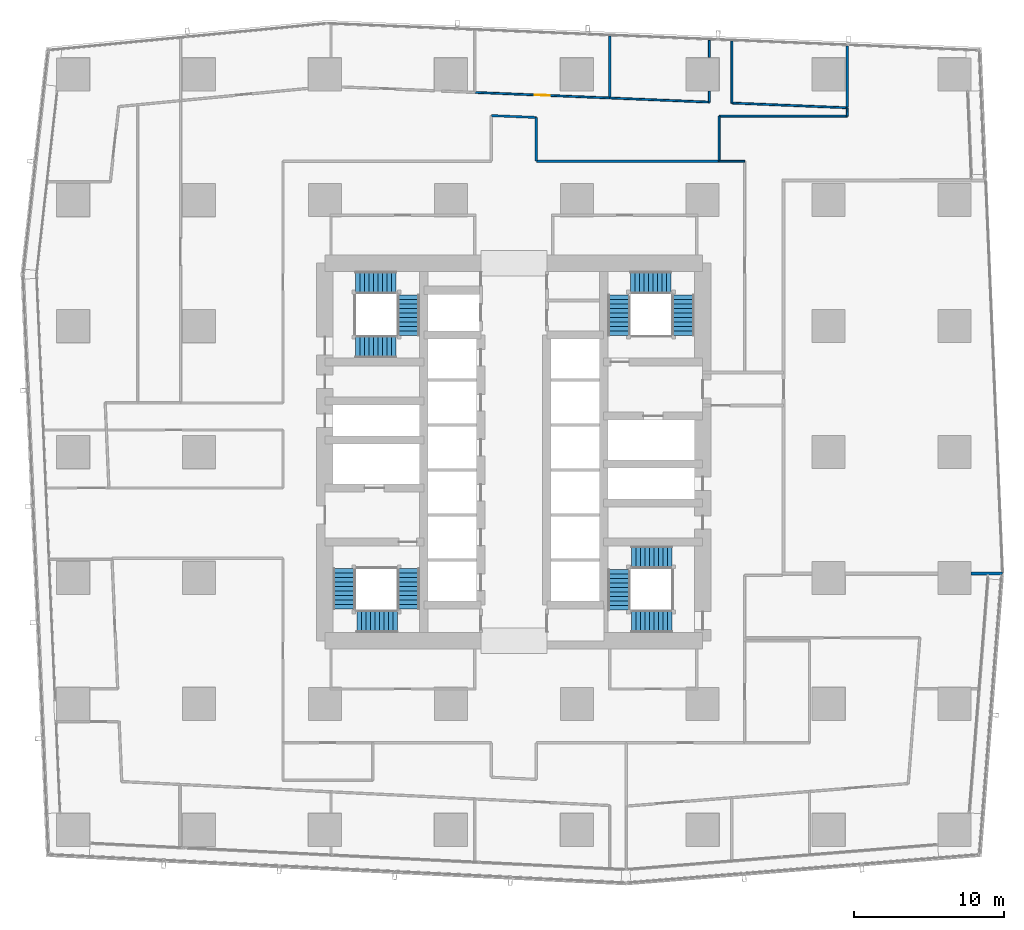
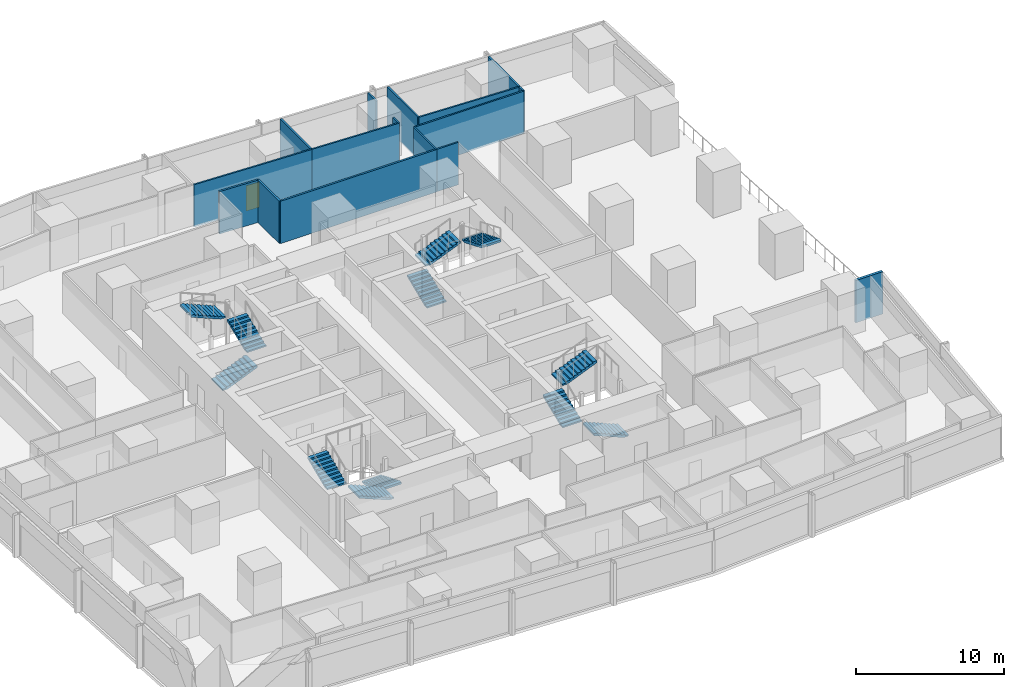
# One storey, part 33 of 42: 16 walls, 12 stair flights, 1 door, 1 opening, 4 elements without a shape of their own.
"""IFC4 building model written with IfcOpenShell, lengths in metres."""

from ifc_helpers import new_model, si_unit, direction, frame, frame_2d, origin, place, context, subcontext, project, spatial, polyline, rectangle, outline, extrude, material, layer, layer_set, type_object, element, fill, aggregate, save


model = new_model("IFC4")

# Units and contexts
model_context = context("Model", 3, precision=1e-05, world=origin(), true_north=direction((0.0, 1.0)))
body_context = subcontext(model_context, "Body", "Model", "MODEL_VIEW")
ifc_project = project(units=[si_unit("LENGTHUNIT", "METRE"), si_unit("AREAUNIT", "SQUARE_METRE"), si_unit("VOLUMEUNIT", "CUBIC_METRE"), si_unit("PLANEANGLEUNIT", "RADIAN"), si_unit("MASSUNIT", "GRAM", prefix="KILO")], contexts=[model_context])

# Site, building, storey
site_placement = place(None, origin())
site = spatial("IfcSite", under=ifc_project, at=site_placement, CompositionType="ELEMENT")
building_placement = place(site_placement, origin())
building = spatial("IfcBuilding", under=site, at=building_placement, Name="Rekha Terrace Tower", CompositionType="ELEMENT")
storey_placement = place(building_placement, frame((0.0, 0.0, 40.39990234375)))
storey = spatial("IfcBuildingStorey", under=building, at=storey_placement, Name="L09", CompositionType="ELEMENT", Elevation=40.39990234375)

# Walls
ifc_material_1 = material(Name="Concrete block masonry, 1 hour", Category="masonry")
ifc_layer_1 = layer(ifc_material_1, 0.14990234375)
ifc_layer_set_1 = layer_set([ifc_layer_1], Name="Concrete block masonry, 1 hour")
wall_type_1 = type_object("IfcWallType", Name="WP2 150 tenancy partition", PredefinedType="PARTITIONING", material=ifc_layer_set_1)
for number, where, z_axis, x_axis, name in (
    (1, (44.197998046875, 57.281005859375, 0.0), (0.0, 0.0, 1.0), (0.0, 1.0, 0.0), "Partition L09-O3"),
    (2, (60.0380859375, 56.6279296875, 0.0), (0.0, 0.0, 1.0), (0.0, 1.0, 0.0), "Partition L09-O3"),
):
    element("IfcWall", number, at=place(storey_placement, frame(where, z_axis=z_axis, x_axis=x_axis)), inside=storey, type_object=wall_type_1, Name=name, PredefinedType="PARTITIONING", context=body_context, shape_type="SweptSolid", body=[
        extrude(rectangle(XDim=4.06103515625, YDim=0.14990234375, at=frame_2d((2.030517578125, 0.0))), origin(), (0.0, 0.0, 1.0), 3.5),
    ])
wall_1_placement = place(storey_placement, frame((51.4990234375, 53.0, 0.0), z_axis=(0.0, 0.0, 1.0), x_axis=(-1.0, 0.0, 0.0)))
element("IfcWall", 3, at=wall_1_placement, inside=storey, type_object=wall_type_1, Name="Partition L09-O3", PredefinedType="PARTITIONING", context=body_context, shape_type="SweptSolid", body=[
    extrude(rectangle(XDim=12.198974609375, YDim=0.14990234375, at=frame_2d((6.099609375, 0.0))), origin(), (0.0, 0.0, 1.0), 3.5),
])
wall_2_placement = place(storey_placement, frame((39.300048828125, 53.0, 0.0), z_axis=(0.0, 0.0, 1.0), x_axis=(0.0, 1.0, 0.0)))
element("IfcWall", 4, at=wall_2_placement, inside=storey, type_object=wall_type_1, Name="Partition L09-O3", PredefinedType="PARTITIONING", context=body_context, shape_type="SweptSolid", body=[
    extrude(rectangle(XDim=2.9189453125, YDim=0.14990234375, at=frame_2d((1.45947265625, 0.0))), origin(), (0.0, 0.0, 1.0), 3.5),
])
wall_3_placement = place(storey_placement, frame((39.300048828125, 55.9189453125, 0.0), z_axis=(0.0, 0.0, 1.0), x_axis=(-0.999146548644, 0.041305863176, 0.0)))
element("IfcWall", 5, at=wall_3_placement, inside=storey, type_object=wall_type_1, Name="Partition L09-O3", PredefinedType="PARTITIONING", context=body_context, shape_type="SweptSolid", body=[
    extrude(rectangle(XDim=3.00244140625, YDim=0.14990234375, at=frame_2d((1.501220703125, 0.0))), origin(), (0.0, 0.0, 1.0), 3.5),
])
ifc_material_2 = material(Name="Two layers of fire-rated gypsum board each side on steel studs, acoustic quilt, 1 hour", Category="steel")
ifc_layer_2 = layer(ifc_material_2, 0.125)
ifc_layer_set_2 = layer_set([ifc_layer_2], Name="Two layers of fire-rated gypsum board each side on steel studs, acoustic quilt, 1 hour")
wall_type_2 = type_object("IfcWallType", Name="WP3 125 office partition", PredefinedType="PARTITIONING", material=ifc_layer_set_2)
wall_4_placement = place(storey_placement, frame((53.199951171875, 53.0, 0.0), z_axis=(0.0, 0.0, 1.0), x_axis=(-1.0, 0.0, 0.0)))
element("IfcWall", 6, at=wall_4_placement, inside=storey, type_object=wall_type_2, Name="Partition L09-06", PredefinedType="PARTITIONING", context=body_context, shape_type="SweptSolid", body=[
    extrude(rectangle(XDim=1.700927734375, YDim=0.125, at=frame_2d((0.8505859375, 0.0))), origin(), (0.0, 0.0, 1.0), 3.5),
])
wall_5_placement = place(storey_placement, frame((51.4990234375, 53.0, 0.0), z_axis=(0.0, 0.0, 1.0), x_axis=(0.0, 1.0, 0.0)))
element("IfcWall", 7, at=wall_5_placement, inside=storey, type_object=wall_type_2, Name="Partition L09-06", PredefinedType="PARTITIONING", context=body_context, shape_type="SweptSolid", body=[
    extrude(rectangle(XDim=3.010986328125, YDim=0.125, at=frame_2d((1.50537109375, 0.0))), origin(), (0.0, 0.0, 1.0), 3.5),
])
wall_6_placement = place(storey_placement, frame((51.4990234375, 56.010986328125, 0.0), z_axis=(0.0, 0.0, 1.0), x_axis=(1.0, 0.0, 0.0)))
element("IfcWall", 8, at=wall_6_placement, inside=storey, type_object=wall_type_2, Name="Partition L09-06", PredefinedType="PARTITIONING", context=body_context, shape_type="SweptSolid", body=[
    extrude(rectangle(XDim=8.554931640625, YDim=0.125, at=frame_2d((4.27734375, 0.0))), origin(), (0.0, 0.0, 1.0), 3.5),
])
wall_7_placement = place(storey_placement, frame((60.053955078125, 56.010986328125, 0.0), z_axis=(0.0, 0.0, 1.0), x_axis=(-0.02511327584, 0.999684611953, 0.0)))
element("IfcWall", 9, at=wall_7_placement, inside=storey, type_object=wall_type_2, Name="Partition L09-06", PredefinedType="PARTITIONING", context=body_context, shape_type="SweptSolid", body=[
    extrude(rectangle(XDim=0.55419921875, YDim=0.125, at=frame_2d((0.277099609375, 0.0))), origin(), (0.0, 0.0, 1.0), 3.5),
])
wall_8_placement = place(storey_placement, frame((60.0400390625, 56.56494140625, 0.0), z_axis=(0.0, 0.0, 1.0), x_axis=(-0.999150900395, 0.041200464085, 0.0)))
element("IfcWall", 10, at=wall_8_placement, inside=storey, type_object=wall_type_2, Name="Partition L09-06", PredefinedType="PARTITIONING", context=body_context, shape_type="SweptSolid", body=[
    extrude(rectangle(XDim=7.697509765625, YDim=0.125, at=frame_2d((3.8486328125, 0.0))), origin(), (0.0, 0.0, 1.0), 3.5),
])
wall_9_placement = place(storey_placement, frame((52.34912109375, 56.882080078125, 0.0), z_axis=(0.0, 0.0, 1.0), x_axis=(0.0, 1.0, 0.0)))
element("IfcWall", 11, at=wall_9_placement, inside=storey, type_object=wall_type_2, Name="Partition L09-06", PredefinedType="PARTITIONING", context=body_context, shape_type="SweptSolid", body=[
    extrude(rectangle(XDim=4.1240234375, YDim=0.125, at=frame_2d((2.06201171875, 0.0))), origin(), (0.0, 0.0, 1.0), 3.5),
])
wall_10_placement = place(storey_placement, frame((50.85009765625, 61.068115234375, 0.0), z_axis=(0.0, 0.0, 1.0), x_axis=(0.0, -1.0, 0.0)))
element("IfcWall", 12, at=wall_10_placement, inside=storey, type_object=wall_type_2, Name="Partition L09-07", PredefinedType="PARTITIONING", context=body_context, shape_type="SweptSolid", body=[
    extrude(rectangle(XDim=1.148193359375, YDim=0.125, at=frame_2d((0.57421875, 0.0))), origin(), (0.0, 0.0, 1.0), 3.5),
])
wall_11_placement = place(storey_placement, frame((50.85009765625, 57.679931640625, 0.0), z_axis=(0.0, 0.0, 1.0), x_axis=(0.0, -1.0, 0.0)))
element("IfcWall", 13, at=wall_11_placement, inside=storey, type_object=wall_type_2, Name="Partition L09-07", PredefinedType="PARTITIONING", context=body_context, shape_type="SweptSolid", body=[
    extrude(rectangle(XDim=0.73583984375, YDim=0.125, at=frame_2d((0.367919921875, 0.0))), origin(), (0.0, 0.0, 1.0), 3.5),
])
wall_12_placement = place(storey_placement, frame((50.85009765625, 56.944091796875, 0.0), z_axis=(0.0, 0.0, 1.0), x_axis=(-0.999152731267, 0.041156039667, 0.0)))
element("IfcWall", 14, at=wall_12_placement, inside=storey, type_object=wall_type_2, Name="Partition L09-07", PredefinedType="PARTITIONING", context=body_context, shape_type="SweptSolid", body=[
    extrude(rectangle(XDim=6.65576171875, YDim=0.125, at=frame_2d((3.327880859375, 0.0))), origin(), (0.0, 0.0, 1.0), 3.5),
])

# Wall, opening, door
wall_13_placement = place(storey_placement, frame((44.199951171875, 57.218017578125, 0.0), z_axis=(0.0, 0.0, 1.0), x_axis=(-0.999151017128, 0.041197633085, 0.0)))
wall_13 = element("IfcWall", 15, at=wall_13_placement, inside=storey, type_object=wall_type_2, Name="Partition L09-07", PredefinedType="PARTITIONING", context=body_context, shape_type="SweptSolid", body=[
    extrude(rectangle(XDim=9.007568359375, YDim=0.125, at=frame_2d((4.50390625, 0.0))), origin(), (0.0, 0.0, 1.0), 3.5),
])
opening_placement = place(wall_13_placement, frame((4.00390625, 0.0, 0.0)))
opening = element("IfcOpeningElement", 16, at=opening_placement, cuts=wall_13, Name="Opening D9", PredefinedType="OPENING", context=body_context, shape_type="SweptSolid", body=[
    extrude(rectangle(XDim=1.0, YDim=2.10009765625, at=frame_2d((0.5, 1.050048828125))), frame((0.0, 0.072509765625, 0.0), z_axis=(0.0, -1.0, 0.0), x_axis=(1.0, 0.0, 0.0)), (0.0, 0.0, 1.0), 0.14501953125),
])
ifc_material_3 = material(Name="Timber fire door", Category="wood")
door_type = type_object("IfcDoorType", Name="D9 1000x2100 office door", OperationType="SINGLE_SWING_LEFT", PredefinedType="DOOR", material=ifc_material_3)
door_placement = place(opening_placement, origin())
door = element("IfcDoor", 17, at=door_placement, inside=storey, type_object=door_type, Name="Door office L09", OperationType="SINGLE_SWING_LEFT", OverallHeight=2.10009765625, OverallWidth=1.0, PredefinedType="DOOR", context=body_context, shape_type="SweptSolid", body=[
    extrude(rectangle(XDim=1.0, YDim=2.10009765625, at=frame_2d((0.5, 1.050048828125))), frame((0.0, 0.02490234375, 0.0), z_axis=(0.0, -1.0, 0.0), x_axis=(1.0, 0.0, 0.0)), (0.0, 0.0, 1.0), 0.050048828125),
])
fill(opening, door)

# Wall
ifc_material_4 = material(Name="Solid concrete block masonry, 2 hour", Category="masonry")
ifc_layer_3 = layer(ifc_material_4, 0.199951171875)
ifc_layer_set_3 = layer_set([ifc_layer_3], Name="Solid concrete block masonry, 2 hour")
wall_type_3 = type_object("IfcWallType", Name="WS1 200 stair and shaft enclosure", PredefinedType="PARTITIONING", material=ifc_layer_set_3)
wall_14_placement = place(storey_placement, frame((68.300048828125, 25.5029296875, 0.0), z_axis=(0.0, 0.0, 1.0), x_axis=(1.0, 0.0, 0.0)))
element("IfcWall", 18, at=wall_14_placement, inside=storey, type_object=wall_type_3, Name="Refuge area south wall L09", PredefinedType="PARTITIONING", context=body_context, shape_type="SweptSolid", body=[
    extrude(rectangle(XDim=2.099853515625, YDim=0.199951171875, at=frame_2d((1.0498046875, 0.0))), origin(), (0.0, 0.0, 1.0), 3.5),
])

# Stair, stair flights
ifc_material_5 = material(Name="Concrete M40", Category="concrete")
stair_type = type_object("IfcStairType", Name="ST30 stair, 30 risers of 125, going 300, 1500 wide flights, 3 flights", PredefinedType="HALF_TURN_STAIR", material=ifc_material_5)
stair_1_placement = place(storey_placement, origin())
stair_1 = element("IfcStair", 19, at=stair_1_placement, inside=storey, type_object=stair_type, Name="Stair ST1 L09 to L10", PredefinedType="HALF_TURN_STAIR")
stair_flight_type = type_object("IfcStairFlightType", Name="SF10 stair flight, 10 risers of 125, going 300, 1500 wide", PredefinedType="STRAIGHT", material=ifc_material_5)
stair_flight_1_placement = place(storey_placement, frame((30.77490234375, 25.824951171875, 0.0), z_axis=(0.0, 0.0, 1.0), x_axis=(0.0, -1.0, 0.0)))
stair_flight_1 = element("IfcStairFlight", 20, at=stair_flight_1_placement, type_object=stair_flight_type, Name="ST1 flight 1", NumberOfRisers=10, NumberOfTreads=9, PredefinedType="STRAIGHT", RiserHeight=0.125, TreadLength=0.3, context=body_context, shape_type="SweptSolid", body=[
    extrude(outline(polyline([(0.0, 0.0), (0.0, 0.125), (0.300048828125, 0.125), (0.300048828125, 0.25), (0.60009765625, 0.25), (0.60009765625, 0.375), (0.89990234375, 0.375), (0.89990234375, 0.5), (1.199951171875, 0.5), (1.199951171875, 0.625), (1.5, 0.625), (1.5, 0.75), (1.800048828125, 0.75), (1.800048828125, 0.875), (2.10009765625, 0.875), (2.10009765625, 1.0), (2.39990234375, 1.0), (2.39990234375, 1.125), (2.699951171875, 1.125), (2.699951171875, 1.25), (2.699951171875, 0.962646484375), (0.3896484375, 0.0), (0.0, 0.0)])), frame((0.0, 0.75, 0.0), z_axis=(0.0, -1.0, 0.0), x_axis=(1.0, 0.0, 0.0)), (0.0, 0.0, 1.0), 1.5),
])
stair_flight_2_placement = place(storey_placement, frame((30.02490234375, 22.300048828125, 1.25), z_axis=(0.0, 0.0, 1.0), x_axis=(-1.0, 0.0, 0.0)))
stair_flight_2 = element("IfcStairFlight", 21, at=stair_flight_2_placement, type_object=stair_flight_type, Name="ST1 flight 2", NumberOfRisers=10, NumberOfTreads=9, PredefinedType="STRAIGHT", RiserHeight=0.125, TreadLength=0.3, context=body_context, shape_type="SweptSolid", body=[
    extrude(outline(polyline([(0.0, 0.0), (0.0, 0.125), (0.300048828125, 0.125), (0.300048828125, 0.25), (0.60009765625, 0.25), (0.60009765625, 0.375), (0.89990234375, 0.375), (0.89990234375, 0.5), (1.199951171875, 0.5), (1.199951171875, 0.625), (1.5, 0.625), (1.5, 0.75), (1.800048828125, 0.75), (1.800048828125, 0.875), (2.10009765625, 0.875), (2.10009765625, 1.0), (2.39990234375, 1.0), (2.39990234375, 1.125), (2.699951171875, 1.125), (2.699951171875, 1.25), (2.699951171875, 0.962646484375), (0.3896484375, 0.0), (0.0, 0.0)])), frame((0.0, 0.75, 0.0), z_axis=(0.0, -1.0, 0.0), x_axis=(1.0, 0.0, 0.0)), (0.0, 0.0, 1.0), 1.5),
])
stair_flight_3_placement = place(storey_placement, frame((26.5, 23.125, 2.5), z_axis=(0.0, 0.0, 1.0), x_axis=(0.0, 1.0, 0.0)))
stair_flight_3 = element("IfcStairFlight", 22, at=stair_flight_3_placement, type_object=stair_flight_type, Name="ST1 flight 3", NumberOfRisers=10, NumberOfTreads=9, PredefinedType="STRAIGHT", RiserHeight=0.125, TreadLength=0.3, context=body_context, shape_type="SweptSolid", body=[
    extrude(outline(polyline([(0.0, 0.0), (0.0, 0.125), (0.300048828125, 0.125), (0.300048828125, 0.25), (0.60009765625, 0.25), (0.60009765625, 0.375), (0.89990234375, 0.375), (0.89990234375, 0.5), (1.199951171875, 0.5), (1.199951171875, 0.625), (1.5, 0.625), (1.5, 0.75), (1.800048828125, 0.75), (1.800048828125, 0.875), (2.10009765625, 0.875), (2.10009765625, 1.0), (2.39990234375, 1.0), (2.39990234375, 1.125), (2.699951171875, 1.125), (2.699951171875, 1.25), (2.699951171875, 0.962646484375), (0.3896484375, 0.0), (0.0, 0.0)])), frame((0.0, 0.75, 0.0), z_axis=(0.0, -1.0, 0.0), x_axis=(1.0, 0.0, 0.0)), (0.0, 0.0, 1.0), 1.5),
])
aggregate(stair_1, [stair_flight_1, stair_flight_2, stair_flight_3])

stair_2_placement = place(storey_placement, origin())
stair_2 = element("IfcStair", 23, at=stair_2_placement, inside=storey, type_object=stair_type, Name="Stair ST2 L09 to L10", PredefinedType="HALF_TURN_STAIR")
stair_flight_4_placement = place(storey_placement, frame((44.824951171875, 41.375, 0.0), z_axis=(0.0, 0.0, 1.0), x_axis=(0.0, 1.0, 0.0)))
stair_flight_4 = element("IfcStairFlight", 24, at=stair_flight_4_placement, type_object=stair_flight_type, Name="ST2 flight 1", NumberOfRisers=10, NumberOfTreads=9, PredefinedType="STRAIGHT", RiserHeight=0.125, TreadLength=0.3, context=body_context, shape_type="SweptSolid", body=[
    extrude(outline(polyline([(0.0, 0.0), (0.0, 0.125), (0.300048828125, 0.125), (0.300048828125, 0.25), (0.60009765625, 0.25), (0.60009765625, 0.375), (0.89990234375, 0.375), (0.89990234375, 0.5), (1.199951171875, 0.5), (1.199951171875, 0.625), (1.5, 0.625), (1.5, 0.75), (1.800048828125, 0.75), (1.800048828125, 0.875), (2.10009765625, 0.875), (2.10009765625, 1.0), (2.39990234375, 1.0), (2.39990234375, 1.125), (2.699951171875, 1.125), (2.699951171875, 1.25), (2.699951171875, 0.962646484375), (0.3896484375, 0.0), (0.0, 0.0)])), frame((0.0, 0.75, 0.0), z_axis=(0.0, -1.0, 0.0), x_axis=(1.0, 0.0, 0.0)), (0.0, 0.0, 1.0), 1.5),
])
stair_flight_5_placement = place(storey_placement, frame((45.574951171875, 44.89990234375, 1.25), z_axis=(0.0, 0.0, 1.0), x_axis=(1.0, 0.0, 0.0)))
stair_flight_5 = element("IfcStairFlight", 25, at=stair_flight_5_placement, type_object=stair_flight_type, Name="ST2 flight 2", NumberOfRisers=10, NumberOfTreads=9, PredefinedType="STRAIGHT", RiserHeight=0.125, TreadLength=0.3, context=body_context, shape_type="SweptSolid", body=[
    extrude(outline(polyline([(0.0, 0.0), (0.0, 0.125), (0.300048828125, 0.125), (0.300048828125, 0.25), (0.60009765625, 0.25), (0.60009765625, 0.375), (0.89990234375, 0.375), (0.89990234375, 0.5), (1.199951171875, 0.5), (1.199951171875, 0.625), (1.5, 0.625), (1.5, 0.75), (1.800048828125, 0.75), (1.800048828125, 0.875), (2.10009765625, 0.875), (2.10009765625, 1.0), (2.39990234375, 1.0), (2.39990234375, 1.125), (2.699951171875, 1.125), (2.699951171875, 1.25), (2.699951171875, 0.962646484375), (0.3896484375, 0.0), (0.0, 0.0)])), frame((0.0, 0.75, 0.0), z_axis=(0.0, -1.0, 0.0), x_axis=(1.0, 0.0, 0.0)), (0.0, 0.0, 1.0), 1.5),
])
stair_flight_6_placement = place(storey_placement, frame((49.10009765625, 44.074951171875, 2.5), z_axis=(0.0, 0.0, 1.0), x_axis=(0.0, -1.0, 0.0)))
stair_flight_6 = element("IfcStairFlight", 26, at=stair_flight_6_placement, type_object=stair_flight_type, Name="ST2 flight 3", NumberOfRisers=10, NumberOfTreads=9, PredefinedType="STRAIGHT", RiserHeight=0.125, TreadLength=0.3, context=body_context, shape_type="SweptSolid", body=[
    extrude(outline(polyline([(0.0, 0.0), (0.0, 0.125), (0.300048828125, 0.125), (0.300048828125, 0.25), (0.60009765625, 0.25), (0.60009765625, 0.375), (0.89990234375, 0.375), (0.89990234375, 0.5), (1.199951171875, 0.5), (1.199951171875, 0.625), (1.5, 0.625), (1.5, 0.75), (1.800048828125, 0.75), (1.800048828125, 0.875), (2.10009765625, 0.875), (2.10009765625, 1.0), (2.39990234375, 1.0), (2.39990234375, 1.125), (2.699951171875, 1.125), (2.699951171875, 1.25), (2.699951171875, 0.962646484375), (0.3896484375, 0.0), (0.0, 0.0)])), frame((0.0, 0.75, 0.0), z_axis=(0.0, -1.0, 0.0), x_axis=(1.0, 0.0, 0.0)), (0.0, 0.0, 1.0), 1.5),
])
aggregate(stair_2, [stair_flight_4, stair_flight_5, stair_flight_6])

stair_3_placement = place(storey_placement, origin())
stair_3 = element("IfcStair", 27, at=stair_3_placement, inside=storey, type_object=stair_type, Name="Stair ST3 L09 to L10", PredefinedType="HALF_TURN_STAIR")
stair_flight_7_placement = place(storey_placement, frame((48.35009765625, 22.300048828125, 0.0), z_axis=(0.0, 0.0, 1.0), x_axis=(-1.0, 0.0, 0.0)))
stair_flight_7 = element("IfcStairFlight", 28, at=stair_flight_7_placement, type_object=stair_flight_type, Name="ST3 flight 1", NumberOfRisers=10, NumberOfTreads=9, PredefinedType="STRAIGHT", RiserHeight=0.125, TreadLength=0.3, context=body_context, shape_type="SweptSolid", body=[
    extrude(outline(polyline([(0.0, 0.0), (0.0, 0.125), (0.300048828125, 0.125), (0.300048828125, 0.25), (0.60009765625, 0.25), (0.60009765625, 0.375), (0.89990234375, 0.375), (0.89990234375, 0.5), (1.199951171875, 0.5), (1.199951171875, 0.625), (1.5, 0.625), (1.5, 0.75), (1.800048828125, 0.75), (1.800048828125, 0.875), (2.10009765625, 0.875), (2.10009765625, 1.0), (2.39990234375, 1.0), (2.39990234375, 1.125), (2.699951171875, 1.125), (2.699951171875, 1.25), (2.699951171875, 0.962646484375), (0.3896484375, 0.0), (0.0, 0.0)])), frame((0.0, 0.75, 0.0), z_axis=(0.0, -1.0, 0.0), x_axis=(1.0, 0.0, 0.0)), (0.0, 0.0, 1.0), 1.5),
])
stair_flight_8_placement = place(storey_placement, frame((44.824951171875, 23.050048828125, 1.25), z_axis=(0.0, 0.0, 1.0), x_axis=(0.0, 1.0, 0.0)))
stair_flight_8 = element("IfcStairFlight", 29, at=stair_flight_8_placement, type_object=stair_flight_type, Name="ST3 flight 2", NumberOfRisers=10, NumberOfTreads=9, PredefinedType="STRAIGHT", RiserHeight=0.125, TreadLength=0.3, context=body_context, shape_type="SweptSolid", body=[
    extrude(outline(polyline([(0.0, 0.0), (0.0, 0.125), (0.300048828125, 0.125), (0.300048828125, 0.25), (0.60009765625, 0.25), (0.60009765625, 0.375), (0.89990234375, 0.375), (0.89990234375, 0.5), (1.199951171875, 0.5), (1.199951171875, 0.625), (1.5, 0.625), (1.5, 0.75), (1.800048828125, 0.75), (1.800048828125, 0.875), (2.10009765625, 0.875), (2.10009765625, 1.0), (2.39990234375, 1.0), (2.39990234375, 1.125), (2.699951171875, 1.125), (2.699951171875, 1.25), (2.699951171875, 0.962646484375), (0.3896484375, 0.0), (0.0, 0.0)])), frame((0.0, 0.75, 0.0), z_axis=(0.0, -1.0, 0.0), x_axis=(1.0, 0.0, 0.0)), (0.0, 0.0, 1.0), 1.5),
])
stair_flight_9_placement = place(storey_placement, frame((45.64990234375, 26.574951171875, 2.5), z_axis=(0.0, 0.0, 1.0), x_axis=(1.0, 0.0, 0.0)))
stair_flight_9 = element("IfcStairFlight", 30, at=stair_flight_9_placement, type_object=stair_flight_type, Name="ST3 flight 3", NumberOfRisers=10, NumberOfTreads=9, PredefinedType="STRAIGHT", RiserHeight=0.125, TreadLength=0.3, context=body_context, shape_type="SweptSolid", body=[
    extrude(outline(polyline([(0.0, 0.0), (0.0, 0.125), (0.300048828125, 0.125), (0.300048828125, 0.25), (0.60009765625, 0.25), (0.60009765625, 0.375), (0.89990234375, 0.375), (0.89990234375, 0.5), (1.199951171875, 0.5), (1.199951171875, 0.625), (1.5, 0.625), (1.5, 0.75), (1.800048828125, 0.75), (1.800048828125, 0.875), (2.10009765625, 0.875), (2.10009765625, 1.0), (2.39990234375, 1.0), (2.39990234375, 1.125), (2.699951171875, 1.125), (2.699951171875, 1.25), (2.699951171875, 0.962646484375), (0.3896484375, 0.0), (0.0, 0.0)])), frame((0.0, 0.75, 0.0), z_axis=(0.0, -1.0, 0.0), x_axis=(1.0, 0.0, 0.0)), (0.0, 0.0, 1.0), 1.5),
])
aggregate(stair_3, [stair_flight_7, stair_flight_8, stair_flight_9])

stair_4_placement = place(storey_placement, origin())
stair_4 = element("IfcStair", 31, at=stair_4_placement, inside=storey, type_object=stair_type, Name="Stair ST4 L09 to L10", PredefinedType="HALF_TURN_STAIR")
stair_flight_10_placement = place(storey_placement, frame((27.25, 40.625, 0.0), z_axis=(0.0, 0.0, 1.0), x_axis=(1.0, 0.0, 0.0)))
stair_flight_10 = element("IfcStairFlight", 32, at=stair_flight_10_placement, type_object=stair_flight_type, Name="ST4 flight 1", NumberOfRisers=10, NumberOfTreads=9, PredefinedType="STRAIGHT", RiserHeight=0.125, TreadLength=0.3, context=body_context, shape_type="SweptSolid", body=[
    extrude(outline(polyline([(0.0, 0.0), (0.0, 0.125), (0.300048828125, 0.125), (0.300048828125, 0.25), (0.60009765625, 0.25), (0.60009765625, 0.375), (0.89990234375, 0.375), (0.89990234375, 0.5), (1.199951171875, 0.5), (1.199951171875, 0.625), (1.5, 0.625), (1.5, 0.75), (1.800048828125, 0.75), (1.800048828125, 0.875), (2.10009765625, 0.875), (2.10009765625, 1.0), (2.39990234375, 1.0), (2.39990234375, 1.125), (2.699951171875, 1.125), (2.699951171875, 1.25), (2.699951171875, 0.962646484375), (0.3896484375, 0.0), (0.0, 0.0)])), frame((0.0, 0.75, 0.0), z_axis=(0.0, -1.0, 0.0), x_axis=(1.0, 0.0, 0.0)), (0.0, 0.0, 1.0), 1.5),
])
stair_flight_11_placement = place(storey_placement, frame((30.77490234375, 41.375, 1.25), z_axis=(0.0, 0.0, 1.0), x_axis=(0.0, 1.0, 0.0)))
stair_flight_11 = element("IfcStairFlight", 33, at=stair_flight_11_placement, type_object=stair_flight_type, Name="ST4 flight 2", NumberOfRisers=10, NumberOfTreads=9, PredefinedType="STRAIGHT", RiserHeight=0.125, TreadLength=0.3, context=body_context, shape_type="SweptSolid", body=[
    extrude(outline(polyline([(0.0, 0.0), (0.0, 0.125), (0.300048828125, 0.125), (0.300048828125, 0.25), (0.60009765625, 0.25), (0.60009765625, 0.375), (0.89990234375, 0.375), (0.89990234375, 0.5), (1.199951171875, 0.5), (1.199951171875, 0.625), (1.5, 0.625), (1.5, 0.75), (1.800048828125, 0.75), (1.800048828125, 0.875), (2.10009765625, 0.875), (2.10009765625, 1.0), (2.39990234375, 1.0), (2.39990234375, 1.125), (2.699951171875, 1.125), (2.699951171875, 1.25), (2.699951171875, 0.962646484375), (0.3896484375, 0.0), (0.0, 0.0)])), frame((0.0, 0.75, 0.0), z_axis=(0.0, -1.0, 0.0), x_axis=(1.0, 0.0, 0.0)), (0.0, 0.0, 1.0), 1.5),
])
stair_flight_12_placement = place(storey_placement, frame((29.949951171875, 44.89990234375, 2.5), z_axis=(0.0, 0.0, 1.0), x_axis=(-1.0, 0.0, 0.0)))
stair_flight_12 = element("IfcStairFlight", 34, at=stair_flight_12_placement, type_object=stair_flight_type, Name="ST4 flight 3", NumberOfRisers=10, NumberOfTreads=9, PredefinedType="STRAIGHT", RiserHeight=0.125, TreadLength=0.3, context=body_context, shape_type="SweptSolid", body=[
    extrude(outline(polyline([(0.0, 0.0), (0.0, 0.125), (0.300048828125, 0.125), (0.300048828125, 0.25), (0.60009765625, 0.25), (0.60009765625, 0.375), (0.89990234375, 0.375), (0.89990234375, 0.5), (1.199951171875, 0.5), (1.199951171875, 0.625), (1.5, 0.625), (1.5, 0.75), (1.800048828125, 0.75), (1.800048828125, 0.875), (2.10009765625, 0.875), (2.10009765625, 1.0), (2.39990234375, 1.0), (2.39990234375, 1.125), (2.699951171875, 1.125), (2.699951171875, 1.25), (2.699951171875, 0.962646484375), (0.3896484375, 0.0), (0.0, 0.0)])), frame((0.0, 0.75, 0.0), z_axis=(0.0, -1.0, 0.0), x_axis=(1.0, 0.0, 0.0)), (0.0, 0.0, 1.0), 1.5),
])
aggregate(stair_4, [stair_flight_10, stair_flight_11, stair_flight_12])

save(model, "model.ifc")
